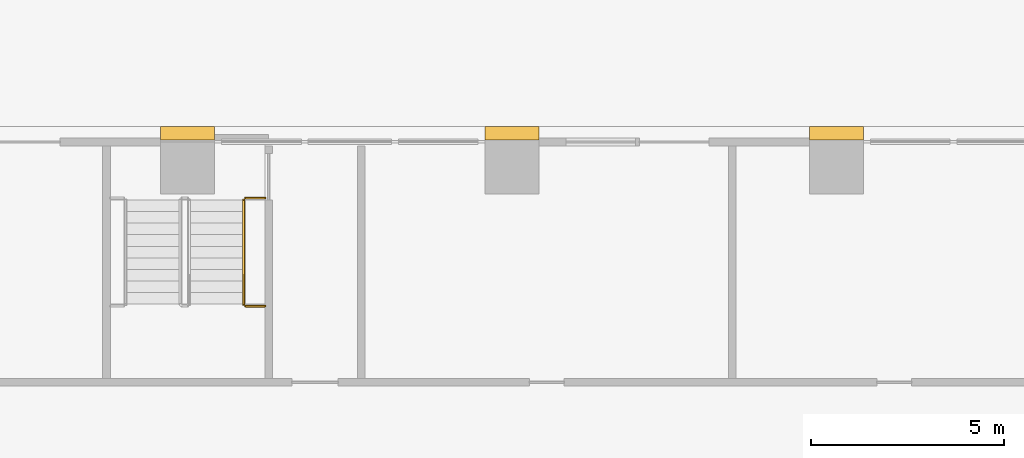
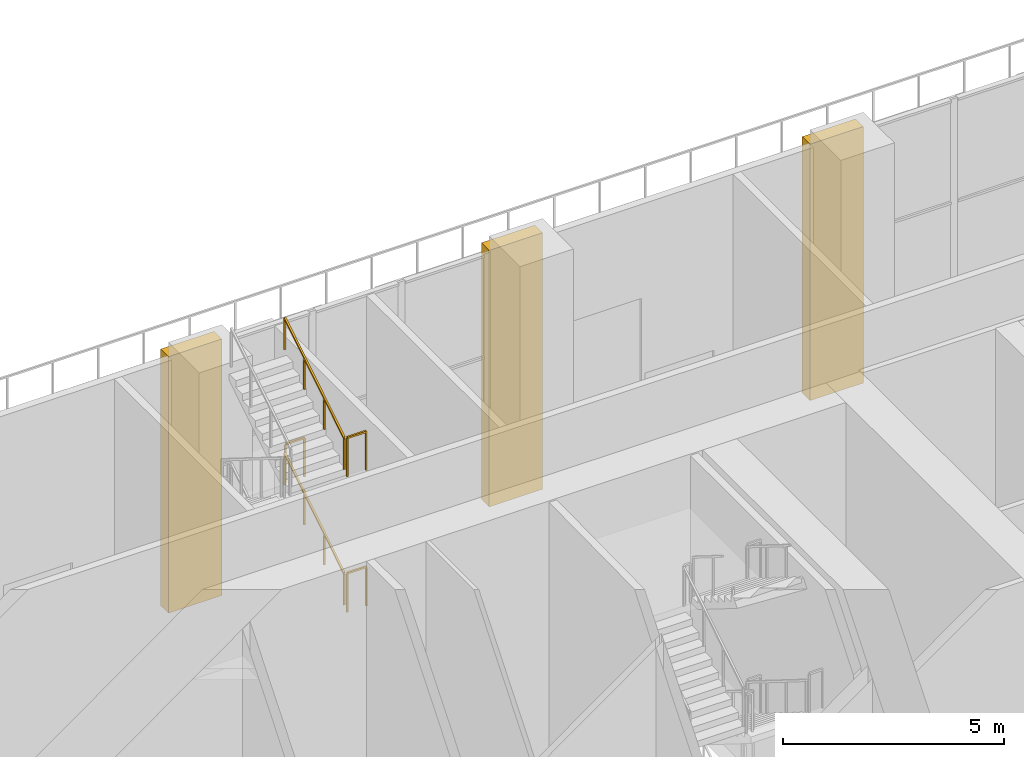
# One storey, part 51 of 53: 5 railings, 3 coverings.
"""IFC4 building model written with IfcOpenShell, lengths in metres."""

import ifcopenshell
import ifcopenshell.guid

model = None  # the IFC model being written
_history = None  # IfcOwnerHistory: only IFC2X3 demands one
_inside = {}  # id of a spatial element -> (the spatial element, [elements in it])
_under = {}  # id of a project, library or spatial element -> (it, [spatial elements below it])
_declared = {}  # id of a project -> (the project, [libraries it declares])
_typed = {}  # id of a type object -> (the type object, [elements of that type])
_made_of = {}  # id of a material, layer set ... -> (it, [elements and type objects made of it])


def new_model(schema):
    """Start an empty IFC model of exactly this schema.

    Asked for "IFC4X3", IfcOpenShell would pick the latest addendum, in which some entities
    have other attributes; the version numbers below select the first issue.
    IFC2X3 requires an IfcOwnerHistory on every rooted entity: one is made here for all.
    """
    global model, _history
    if schema == "IFC4X3":
        model = ifcopenshell.file(schema_version=(4, 3, 0, 0))
    else:
        model = ifcopenshell.file(schema=schema)
    _inside.clear()
    _under.clear()
    _declared.clear()
    _typed.clear()
    _made_of.clear()
    _history = None
    if model.schema == "IFC2X3":
        org = make("IfcOrganization", Name="unknown")
        user = make(
            "IfcPersonAndOrganization",
            ThePerson=make("IfcPerson", FamilyName="unknown"),
            TheOrganization=org,
        )
        app = make(
            "IfcApplication",
            ApplicationDeveloper=org,
            Version="unknown",
            ApplicationFullName="unknown",
            ApplicationIdentifier="unknown",
        )
        _history = make(
            "IfcOwnerHistory",
            OwningUser=user,
            OwningApplication=app,
            ChangeAction="ADDED",
            CreationDate=0,
        )
    return model


def make(cls, **values):
    """One entity of the class cls with the attributes given. An attribute that is None is left unset."""
    return model.create_entity(
        cls, **{name: value for name, value in values.items() if value is not None}
    )


def rooted(cls, **values):
    """An entity with a GlobalId (a new one), such as an element, a storey or a relation."""
    return make(cls, GlobalId=ifcopenshell.guid.new(), OwnerHistory=_history, **values)


def si_unit(unit_type, name, prefix=None):
    """IfcSIUnit, for example si_unit("LENGTHUNIT", "METRE", prefix="MILLI")."""
    return make("IfcSIUnit", UnitType=unit_type, Prefix=prefix, Name=name)


def assignment(units):
    """IfcUnitAssignment: the units of a project."""
    return None if units is None else make("IfcUnitAssignment", Units=units)


def point(xyz):
    """IfcCartesianPoint."""
    return None if xyz is None else make("IfcCartesianPoint", Coordinates=xyz)


def direction(xyz):
    """IfcDirection."""
    return None if xyz is None else make("IfcDirection", DirectionRatios=xyz)


def frame(location, z_axis=None, x_axis=None):
    """IfcAxis2Placement3D, a coordinate frame: its origin and axes. An axis left out is left unset."""
    return make(
        "IfcAxis2Placement3D",
        Location=point(location),
        Axis=direction(z_axis),
        RefDirection=direction(x_axis),
    )


def frame_2d(location, x_axis=None):
    """IfcAxis2Placement2D, a coordinate frame in the plane: its origin and x axis."""
    return make(
        "IfcAxis2Placement2D", Location=point(location), RefDirection=direction(x_axis)
    )


def origin():
    """The frame at (0, 0, 0) with its axes left unset."""
    return frame((0.0, 0.0, 0.0))


def origin_2d():
    """The frame at (0, 0) in the plane with its x axis left unset."""
    return frame_2d((0.0, 0.0))


def place(relative_to, where):
    """IfcLocalPlacement: puts the frame where relative to a parent placement (None: the world)."""
    return make(
        "IfcLocalPlacement", PlacementRelTo=relative_to, RelativePlacement=where
    )


def context(
    kind, dimensions, precision=None, world=None, true_north=None, identifier=None
):
    """IfcGeometricRepresentationContext, for example the 3D "Model" context."""
    return make(
        "IfcGeometricRepresentationContext",
        ContextIdentifier=identifier,
        ContextType=kind,
        CoordinateSpaceDimension=dimensions,
        Precision=precision,
        WorldCoordinateSystem=world,
        TrueNorth=true_north,
    )


def subcontext(parent, identifier, kind, view, scale=None):
    """IfcGeometricRepresentationSubContext, for example "Body" below "Model"."""
    return make(
        "IfcGeometricRepresentationSubContext",
        ContextIdentifier=identifier,
        ContextType=kind,
        ParentContext=parent,
        TargetScale=scale,
        TargetView=view,
    )


def project(units=None, contexts=None):
    """IfcProject with its units and contexts."""
    return rooted(
        "IfcProject",
        Name="project",
        RepresentationContexts=contexts,
        UnitsInContext=assignment(units),
    )


def spatial(cls, under=None, at=None, **own):
    """A site, building, storey or space (cls), placed at a placement, below another one or the project."""
    s = rooted(cls, ObjectPlacement=at, **own)
    if under is not None:
        _under.setdefault(under.id(), (under, []))[1].append(s)
    return s


def polyline(points):
    """IfcPolyline through the points."""
    return make("IfcPolyline", Points=[point(p) for p in points])


def profile(cls, at=None, kind="AREA", **sizes):
    """A parametric profile (cls). Its sizes go by their IFC names, for example OverallWidth=200.0."""
    return make(cls, ProfileType=kind, Position=at, **sizes)


def rectangle(**sizes):
    """IfcRectangleProfileDef."""
    return profile("IfcRectangleProfileDef", **sizes)


def outline(outer, holes=None, kind="AREA"):
    """IfcArbitraryClosedProfileDef: a profile drawn as a closed curve; with holes, ...WithVoids."""
    if holes is None:
        return make("IfcArbitraryClosedProfileDef", ProfileType=kind, OuterCurve=outer)
    return make(
        "IfcArbitraryProfileDefWithVoids",
        ProfileType=kind,
        OuterCurve=outer,
        InnerCurves=holes,
    )


def extrude(swept, where, along, depth):
    """IfcExtrudedAreaSolid: the profile swept, set in the frame where, extruded along a direction by depth."""
    return make(
        "IfcExtrudedAreaSolid",
        SweptArea=swept,
        Position=where,
        ExtrudedDirection=direction(along),
        Depth=depth,
    )


def shape(context_of_items, identifier, shape_type, items):
    """IfcShapeRepresentation: the items that make up one representation, for example the "Body"."""
    return make(
        "IfcShapeRepresentation",
        ContextOfItems=context_of_items,
        RepresentationIdentifier=identifier,
        RepresentationType=shape_type,
        Items=items,
    )


def material(Name=None, Category=None):
    """IfcMaterial."""
    return make("IfcMaterial", Name=Name, Category=Category)


def made_of(thing, what):
    """Note that an element or type object is made of a material, layer set ...; save() writes the relation."""
    if what is not None:
        _made_of.setdefault(what.id(), (what, []))[1].append(thing)
    return thing


def type_object(cls, material=None, **own):
    """A type object (cls), such as IfcWallType, which elements share."""
    return made_of(rooted(cls, **own), material)


def element(
    cls,
    number,
    at=None,
    inside=None,
    cuts=None,
    type_object=None,
    material=None,
    context=None,
    identifier="Body",
    shape_type=None,
    held_by="IfcProductDefinitionShape",
    body=None,
    shapes=None,
    **own,
):
    """One element of the class cls, such as IfcWall. Its Tag is "e" and its number.

    at: its placement. inside: the storey or other place that contains it. cuts: it is an
    opening in that element (IfcRelVoidsElement). A single representation is given by context,
    identifier, shape_type and body (its items); several are given by shapes. held_by: the class
    of the entity that holds the representations. save() writes the other relations.
    """
    e = rooted(cls, Tag="e%d" % number, ObjectPlacement=at, **own)
    if body is not None:
        shapes = [shape(context, identifier, shape_type, body)]
    if shapes is not None:
        e.Representation = make(held_by, Representations=shapes)
    if inside is not None:
        _inside.setdefault(inside.id(), (inside, []))[1].append(e)
    if cuts is not None:
        rooted(
            "IfcRelVoidsElement", RelatingBuildingElement=cuts, RelatedOpeningElement=e
        )
    if type_object is not None:
        _typed.setdefault(type_object.id(), (type_object, []))[1].append(e)
    return made_of(e, material)


def aggregate(whole, parts):
    """IfcRelAggregates: a whole, such as a stair, and the parts it consists of."""
    return rooted("IfcRelAggregates", RelatingObject=whole, RelatedObjects=parts)


def save(model, path):
    """Write the relations noted so far, then the file.

    IfcRelAggregates (storeys below a building ...), IfcRelContainedInSpatialStructure (elements
    in a storey), IfcRelDefinesByType, IfcRelAssociatesMaterial and IfcRelDeclares: one each for
    every whole, place, type object, material and project.
    """
    for whole, parts in _under.values():
        aggregate(whole, parts)
    for where, things in _inside.values():
        rooted(
            "IfcRelContainedInSpatialStructure",
            RelatedElements=things,
            RelatingStructure=where,
        )
    for kind, things in _typed.values():
        rooted("IfcRelDefinesByType", RelatedObjects=things, RelatingType=kind)
    for what, things in _made_of.values():
        rooted("IfcRelAssociatesMaterial", RelatedObjects=things, RelatingMaterial=what)
    for by, libraries in _declared.values():
        rooted("IfcRelDeclares", RelatingContext=by, RelatedDefinitions=libraries)
    model.write(path)


model = new_model("IFC4")

# Units and contexts
model_context = context("Model", 3, precision=1e-05, world=origin(), true_north=direction((0.0, 1.0)))
body_context = subcontext(model_context, "Body", "Model", "MODEL_VIEW")
ifc_project = project(units=[si_unit("LENGTHUNIT", "METRE"), si_unit("AREAUNIT", "SQUARE_METRE"), si_unit("VOLUMEUNIT", "CUBIC_METRE"), si_unit("PLANEANGLEUNIT", "RADIAN"), si_unit("MASSUNIT", "GRAM", prefix="KILO")], contexts=[model_context])

# Site, building, storey
site_placement = place(None, origin())
site = spatial("IfcSite", under=ifc_project, at=site_placement, CompositionType="ELEMENT")
building_placement = place(site_placement, origin())
building = spatial("IfcBuilding", under=site, at=building_placement, Name="Vermilion Ogive Tower", CompositionType="ELEMENT")
storey_placement = place(building_placement, origin())
storey = spatial("IfcBuildingStorey", under=building, at=storey_placement, Name="L00", CompositionType="ELEMENT", Elevation=0.0)

# Railings
ifc_material_1 = material(Name="Steel S355 painted", Category="steel")
railing_type_1 = type_object("IfcRailingType", Name="Stair guard 1100", PredefinedType="GUARDRAIL", material=ifc_material_1)
for number, where, name in (
    (1, (1.5, 25.800048828125, 1.875), "L00 landing guard"),
    (2, (1.5, 28.60009765625, 3.75), "L00 landing guard"),
    (3, (1.5, 25.800048828125, 5.625), "L00 landing guard"),
):
    element("IfcRailing", number, at=place(storey_placement, frame(where)), inside=storey, type_object=railing_type_1, Name=name, PredefinedType="GUARDRAIL", context=body_context, shape_type="SweptSolid", body=[
        extrude(rectangle(XDim=0.048095703125, YDim=0.048095703125, at=origin_2d()), frame((0.0, 0.0, 1.076171875), z_axis=(1.0, 0.0, 0.0), x_axis=(0.0, 1.0, 0.0)), (0.0, 0.0, 1.0), 0.5),
        extrude(rectangle(XDim=0.0419921875, YDim=0.0419921875, at=origin_2d()), origin(), (0.0, 0.0, 1.0), 1.052001953125),
        extrude(rectangle(XDim=0.0419921875, YDim=0.0419921875, at=origin_2d()), frame((0.5, 0.0, 0.0)), (0.0, 0.0, 1.0), 1.052001953125),
    ])
ifc_material_2 = material(Name="Stainless steel", Category="steel")
railing_type_2 = type_object("IfcRailingType", Name="Stair handrail 900", PredefinedType="HANDRAIL", material=ifc_material_2)
for number, where, name in (
    (4, (1.449951171875, 25.85009765625, 2.0625), "L00 PS5 stair handrail 2"),
    (5, (1.449951171875, 25.85009765625, 5.8125), "L00 PS5 stair handrail 4"),
):
    element("IfcRailing", number, at=place(storey_placement, frame(where)), inside=storey, type_object=railing_type_2, Name=name, PredefinedType="HANDRAIL", context=body_context, shape_type="SweptSolid", body=[
        extrude(rectangle(XDim=0.048095703125, YDim=0.048095703125, at=origin_2d()), frame((0.0, 0.0, 0.8759765625), z_axis=(0.0, 0.847993996163, 0.530005832488), x_axis=(-1.0, 0.0, 0.0)), (0.0, 0.0, 1.0), 3.183837890625),
        extrude(rectangle(XDim=0.0419921875, YDim=0.0419921875, at=origin_2d()), origin(), (0.0, 0.0, 1.0), 0.851806640625),
        extrude(rectangle(XDim=0.0419921875, YDim=0.0419921875, at=origin_2d()), frame((0.0, 0.89990234375, 0.5625)), (0.0, 0.0, 1.0), 0.851806640625),
        extrude(rectangle(XDim=0.0419921875, YDim=0.0419921875, at=origin_2d()), frame((0.0, 1.800048828125, 1.125)), (0.0, 0.0, 1.0), 0.851806640625),
        extrude(rectangle(XDim=0.0419921875, YDim=0.0419921875, at=origin_2d()), frame((0.0, 2.699951171875, 1.6875)), (0.0, 0.0, 1.0), 0.851806640625),
    ])

# Coverings
ifc_material_3 = material(Name="Stone cladding", Category="masonry")
covering_type = type_object("IfcCoveringType", Name="Stone pier", PredefinedType="CLADDING", material=ifc_material_3)
covering_1_placement = place(storey_placement, origin())
element("IfcCovering", 6, at=covering_1_placement, inside=storey, type_object=covering_type, Name="Stone pier P+000+294", PredefinedType="CLADDING", context=body_context, shape_type="SweptSolid", body=[
    extrude(outline(polyline([(-0.699951171875, 30.10009765625), (-0.699951171875, 30.10009765625), (-0.699951171875, 30.449951171875), (0.699951171875, 30.449951171875), (0.699951171875, 30.10009765625), (0.699951171875, 30.10009765625), (-0.699951171875, 30.10009765625)])), origin(), (0.0, 0.0, 1.0), 7.10009765625),
])
covering_2_placement = place(storey_placement, origin())
element("IfcCovering", 7, at=covering_2_placement, inside=storey, type_object=covering_type, Name="Stone pier P+084+294", PredefinedType="CLADDING", context=body_context, shape_type="SweptSolid", body=[
    extrude(outline(polyline([(7.699951171875, 30.10009765625), (7.699951171875, 30.10009765625), (7.699951171875, 30.449951171875), (9.10009765625, 30.449951171875), (9.10009765625, 30.10009765625), (9.10009765625, 30.10009765625), (7.699951171875, 30.10009765625)])), origin(), (0.0, 0.0, 1.0), 7.10009765625),
])
covering_3_placement = place(storey_placement, origin())
element("IfcCovering", 8, at=covering_3_placement, inside=storey, type_object=covering_type, Name="Stone pier P+168+294", PredefinedType="CLADDING", context=body_context, shape_type="SweptSolid", body=[
    extrude(outline(polyline([(16.10009765625, 30.10009765625), (16.10009765625, 30.449951171875), (17.5, 30.449951171875), (17.5, 30.10009765625), (17.5, 30.10009765625), (16.10009765625, 30.10009765625)])), origin(), (0.0, 0.0, 1.0), 7.10009765625),
])

save(model, "model.ifc")
